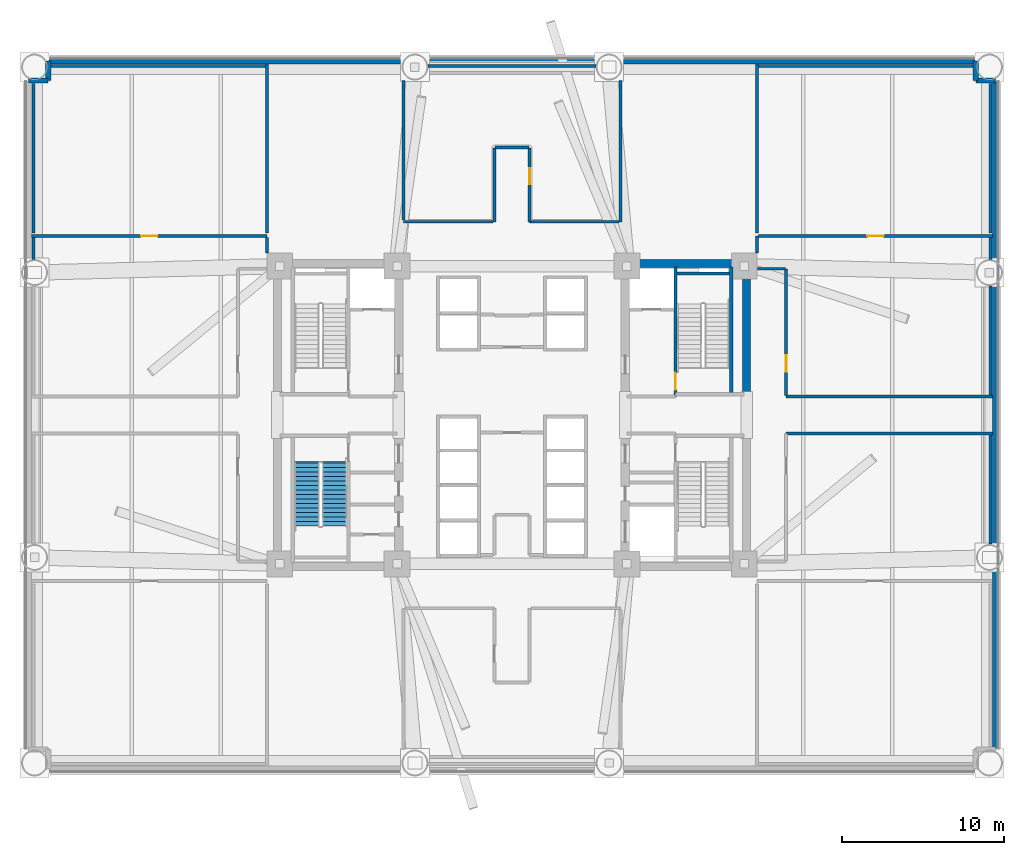
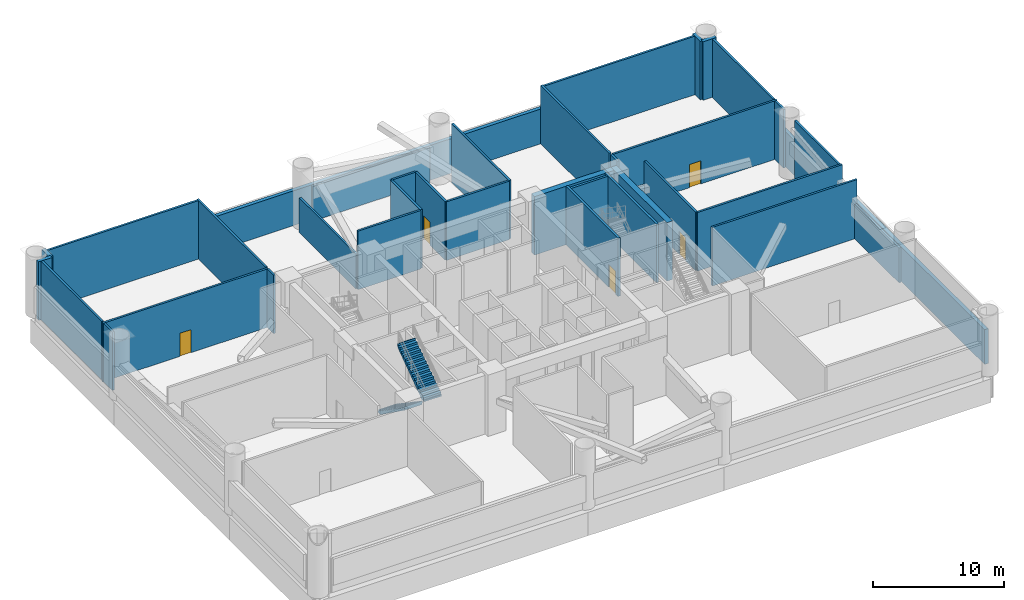
# One storey, part 5 of 10: 37 walls, 5 doors, 2 stair flights, 5 openings, 1 element without a shape of its own.
"""IFC4 building model written with IfcOpenShell, lengths in metres."""

from ifc_helpers import new_model, si_unit, direction, frame, frame_2d, origin, place, context, subcontext, project, spatial, polyline, rectangle, outline, extrude, source, transform, mapped, material, layer, layer_set, type_object, element, fill, aggregate, save


model = new_model("IFC4")

# Units and contexts
model_context = context("Model", 3, precision=1e-05, world=origin(), true_north=direction((0.0, 1.0)))
body_context = subcontext(model_context, "Body", "Model", "MODEL_VIEW")
ifc_project = project(units=[si_unit("LENGTHUNIT", "METRE"), si_unit("AREAUNIT", "SQUARE_METRE"), si_unit("VOLUMEUNIT", "CUBIC_METRE"), si_unit("PLANEANGLEUNIT", "RADIAN"), si_unit("MASSUNIT", "GRAM", prefix="KILO")], contexts=[model_context])

# Site, building, storey
site_placement = place(None, origin())
site = spatial("IfcSite", under=ifc_project, at=site_placement, CompositionType="ELEMENT")
building_placement = place(site_placement, origin())
building = spatial("IfcBuilding", under=site, at=building_placement, Name="Zahravan Cultural Tower", CompositionType="ELEMENT")
storey_placement = place(building_placement, frame((0.0, 0.0, 23.39990234375)))
storey = spatial("IfcBuildingStorey", under=building, at=storey_placement, Name="L04", CompositionType="ELEMENT", Elevation=23.39990234375)

# Wall, opening, door
ifc_material_1 = material(Name="Gypsum plasterboard partition")
ifc_layer_1 = layer(ifc_material_1, 0.179931640625)
ifc_layer_set_1 = layer_set([ifc_layer_1], Name="Gypsum plasterboard partition")
wall_type_1 = type_object("IfcWallType", Name="W-COMP-180", PredefinedType="PARTITIONING", material=ifc_layer_set_1)
wall_1_placement = place(storey_placement, frame((37.090087890625, 38.93994140625, 0.0), z_axis=(0.0, 0.0, 1.0), x_axis=(0.0, 1.0, 0.0)))
wall_1 = element("IfcWall", 1, at=wall_1_placement, inside=storey, type_object=wall_type_1, Name="L04 Interior Wall 091", PredefinedType="PARTITIONING", context=body_context, shape_type="SweptSolid", body=[
    extrude(rectangle(XDim=4.55419921875, YDim=0.179931640625, at=frame_2d((2.277099609375, 0.0))), origin(), (0.0, 0.0, 1.0), 5.4501953125),
])
opening_1_placement = place(wall_1_placement, frame((2.317626953125, 0.0, 0.0)))
opening_1 = element("IfcOpeningElement", 2, at=opening_1_placement, cuts=wall_1, Name="Opening D-L04-13", PredefinedType="OPENING", context=body_context, shape_type="SweptSolid", body=[
    extrude(rectangle(XDim=1.0, YDim=2.14990234375, at=frame_2d((0.5, 1.074951171875))), frame((0.0, 0.099853515625, 0.0), z_axis=(0.0, -1.0, 0.0), x_axis=(1.0, 0.0, 0.0)), (0.0, 0.0, 1.0), 0.199951171875),
])
ifc_material_2 = material(Name="Steel ASTM A572 Grade 50", Category="steel")
door_type_1 = type_object("IfcDoorType", Name="DR-COMP-1000", OperationType="NOTDEFINED", PredefinedType="DOOR", material=ifc_material_2)
shared_shape_1 = source(origin(), body_context, "Body", "SweptSolid", [
    extrude(rectangle(XDim=1.0, YDim=2.14990234375, at=frame_2d((0.5, 1.074951171875))), frame((0.0, 0.02490234375, 0.0), z_axis=(0.0, -1.0, 0.0), x_axis=(1.0, 0.0, 0.0)), (0.0, 0.0, 1.0), 0.050048828125),
])
door_1_placement = place(opening_1_placement, origin())
door_1 = element("IfcDoor", 3, at=door_1_placement, inside=storey, type_object=door_type_1, Name="L04 Door D-L04-13", OperationType="SINGLE_SWING_RIGHT", OverallHeight=2.14990234375, OverallWidth=1.0, PredefinedType="DOOR", context=body_context, shape_type="MappedRepresentation", body=[
    mapped(shared_shape_1, transform((0.0, 0.0, 0.0), x_axis=(1.0, 0.0, 0.0), y_axis=(0.0, 1.0, 0.0), z_axis=(0.0, 0.0, 1.0), scale=1.0)),
])
fill(opening_1, door_1)

wall_2_placement = place(storey_placement, frame((6.304931640625, 38.06005859375, 0.0), z_axis=(0.0, 0.0, 1.0), x_axis=(1.0, 0.0, 0.0)))
wall_2 = element("IfcWall", 4, at=wall_2_placement, inside=storey, type_object=wall_type_1, Name="L04 Interior Wall 105", PredefinedType="PARTITIONING", context=body_context, shape_type="SweptSolid", body=[
    extrude(rectangle(XDim=14.55517578125, YDim=0.179931640625, at=frame_2d((7.277587890625, 0.0))), origin(), (0.0, 0.0, 1.0), 5.4501953125),
])
opening_2_placement = place(wall_2_placement, frame((6.777587890625, 0.0, 0.0)))
opening_2 = element("IfcOpeningElement", 5, at=opening_2_placement, cuts=wall_2, Name="Opening D-L04-22", PredefinedType="OPENING", context=body_context, shape_type="SweptSolid", body=[
    extrude(rectangle(XDim=1.0, YDim=2.14990234375, at=frame_2d((0.5, 1.074951171875))), frame((0.0, 0.099853515625, 0.0), z_axis=(0.0, -1.0, 0.0), x_axis=(1.0, 0.0, 0.0)), (0.0, 0.0, 1.0), 0.199951171875),
])
door_2_placement = place(opening_2_placement, origin())
door_2 = element("IfcDoor", 6, at=door_2_placement, inside=storey, type_object=door_type_1, Name="L04 Door D-L04-22", OperationType="SINGLE_SWING_LEFT", OverallHeight=2.14990234375, OverallWidth=1.0, PredefinedType="DOOR", context=body_context, shape_type="MappedRepresentation", body=[
    mapped(shared_shape_1, transform((0.0, 0.0, 0.0), x_axis=(1.0, 0.0, 0.0), y_axis=(0.0, 1.0, 0.0), z_axis=(0.0, 0.0, 1.0), scale=1.0)),
])
fill(opening_2, door_2)

wall_3_placement = place(storey_placement, frame((52.93994140625, 28.199951171875, 0.0), z_axis=(0.0, 0.0, 1.0), x_axis=(-0.00025015634, 0.999999968711, 0.0)))
wall_3 = element("IfcWall", 7, at=wall_3_placement, inside=storey, type_object=wall_type_1, Name="L04 Interior Wall 113", PredefinedType="PARTITIONING", context=body_context, shape_type="SweptSolid", body=[
    extrude(rectangle(XDim=7.8076171875, YDim=0.179931640625, at=frame_2d((3.90380859375, 0.0))), origin(), (0.0, 0.0, 1.0), 5.4501953125),
])
opening_3_placement = place(wall_3_placement, frame((1.483642578125, 0.0, 0.0)))
opening_3 = element("IfcOpeningElement", 8, at=opening_3_placement, cuts=wall_3, Name="Opening D-L04-18", PredefinedType="OPENING", context=body_context, shape_type="SweptSolid", body=[
    extrude(rectangle(XDim=1.0, YDim=2.14990234375, at=frame_2d((0.5, 1.074951171875))), frame((0.0, 0.099853515625, 0.0), z_axis=(0.0, -1.0, 0.0), x_axis=(1.0, 0.0, 0.0)), (0.0, 0.0, 1.0), 0.199951171875),
])
door_3_placement = place(opening_3_placement, origin())
door_3 = element("IfcDoor", 9, at=door_3_placement, inside=storey, type_object=door_type_1, Name="L04 Door D-L04-18", OperationType="SINGLE_SWING_LEFT", OverallHeight=2.14990234375, OverallWidth=1.0, PredefinedType="DOOR", context=body_context, shape_type="MappedRepresentation", body=[
    mapped(shared_shape_1, transform((0.0, 0.0, 0.0), x_axis=(1.0, 0.0, 0.0), y_axis=(0.0, 1.0, 0.0), z_axis=(0.0, 0.0, 1.0), scale=1.0)),
])
fill(opening_3, door_3)

wall_4_placement = place(storey_placement, frame((51.235107421875, 38.06005859375, 0.0), z_axis=(0.0, 0.0, 1.0), x_axis=(1.0, 0.0, 0.0)))
wall_4 = element("IfcWall", 10, at=wall_4_placement, inside=storey, type_object=wall_type_1, Name="L04 Interior Wall 116", PredefinedType="PARTITIONING", context=body_context, shape_type="SweptSolid", body=[
    extrude(rectangle(XDim=14.4599609375, YDim=0.179931640625, at=frame_2d((7.22998046875, 0.0))), origin(), (0.0, 0.0, 1.0), 5.4501953125),
])
opening_4_placement = place(wall_4_placement, frame((6.72998046875, 0.0, 0.0)))
opening_4 = element("IfcOpeningElement", 11, at=opening_4_placement, cuts=wall_4, Name="Opening D-L04-24", PredefinedType="OPENING", context=body_context, shape_type="SweptSolid", body=[
    extrude(rectangle(XDim=1.0, YDim=2.14990234375, at=frame_2d((0.5, 1.074951171875))), frame((0.0, 0.099853515625, 0.0), z_axis=(0.0, -1.0, 0.0), x_axis=(1.0, 0.0, 0.0)), (0.0, 0.0, 1.0), 0.199951171875),
])
door_4_placement = place(opening_4_placement, origin())
door_4 = element("IfcDoor", 12, at=door_4_placement, inside=storey, type_object=door_type_1, Name="L04 Door D-L04-24", OperationType="SINGLE_SWING_LEFT", OverallHeight=2.14990234375, OverallWidth=1.0, PredefinedType="DOOR", context=body_context, shape_type="MappedRepresentation", body=[
    mapped(shared_shape_1, transform((0.0, 0.0, 0.0), x_axis=(1.0, 0.0, 0.0), y_axis=(0.0, 1.0, 0.0), z_axis=(0.0, 0.0, 1.0), scale=1.0)),
])
fill(opening_4, door_4)

ifc_material_3 = material(Name="Concrete C45/55", Category="concrete")
ifc_layer_2 = layer(ifc_material_3, 0.199951171875)
ifc_layer_set_2 = layer_set([ifc_layer_2], Name="Concrete C45/55")
wall_type_2 = type_object("IfcWallType", Name="W-SHAFT-200", PredefinedType="SOLIDWALL", material=ifc_layer_set_2)
wall_5_placement = place(storey_placement, frame((46.10009765625, 28.14990234375, 0.0), z_axis=(0.0, 0.0, 1.0), x_axis=(0.0, 1.0, 0.0)))
wall_5 = element("IfcWall", 13, at=wall_5_placement, inside=storey, type_object=wall_type_2, Name="L04 Interior Wall 008", PredefinedType="SOLIDWALL", context=body_context, shape_type="SweptSolid", body=[
    extrude(rectangle(XDim=8.0, YDim=0.199951171875, at=frame_2d((4.0, 0.0))), origin(), (0.0, 0.0, 1.0), 5.4501953125),
])
opening_5_placement = place(wall_5_placement, frame((0.39990234375, 0.0, 0.0)))
opening_5 = element("IfcOpeningElement", 14, at=opening_5_placement, cuts=wall_5, Name="Opening D-L04-02", PredefinedType="OPENING", context=body_context, shape_type="SweptSolid", body=[
    extrude(rectangle(XDim=1.050048828125, YDim=2.14990234375, at=frame_2d((0.52490234375, 1.074951171875))), frame((0.0, 0.10986328125, 0.0), z_axis=(0.0, -1.0, 0.0), x_axis=(1.0, 0.0, 0.0)), (0.0, 0.0, 1.0), 0.219970703125),
])
door_type_2 = type_object("IfcDoorType", Name="DR-STAIR-1050", OperationType="NOTDEFINED", PredefinedType="DOOR", material=ifc_material_2)
shared_shape_2 = source(origin(), body_context, "Body", "SweptSolid", [
    extrude(rectangle(XDim=1.050048828125, YDim=2.14990234375, at=frame_2d((0.52490234375, 1.074951171875))), frame((0.0, 0.02490234375, 0.0), z_axis=(0.0, -1.0, 0.0), x_axis=(1.0, 0.0, 0.0)), (0.0, 0.0, 1.0), 0.050048828125),
])
door_5_placement = place(opening_5_placement, origin())
door_5 = element("IfcDoor", 15, at=door_5_placement, inside=storey, type_object=door_type_2, Name="L04 Door D-L04-02", OperationType="SINGLE_SWING_LEFT", OverallHeight=2.14990234375, OverallWidth=1.050048828125, PredefinedType="DOOR", context=body_context, shape_type="MappedRepresentation", body=[
    mapped(shared_shape_2, transform((0.0, 0.0, 0.0), x_axis=(1.0, 0.0, 0.0), y_axis=(0.0, 1.0, 0.0), z_axis=(0.0, 0.0, 1.0), scale=1.0)),
])
fill(opening_5, door_5)

# Walls
ifc_material_4 = material(Name="Concrete C60/75", Category="concrete")
ifc_layer_3 = layer(ifc_material_4, 0.5)
ifc_layer_set_3 = layer_set([ifc_layer_3], Name="Concrete C60/75")
wall_type_3 = type_object("IfcWallType", Name="CW-SHEAR-500-C60", PredefinedType="SHEAR", material=ifc_layer_set_3)
shared_shape_3 = source(origin(), body_context, "Body", "SweptSolid", [
    extrude(rectangle(XDim=8.550048828125, YDim=0.5, at=frame_2d((4.27490234375, 0.0))), origin(), (0.0, 0.0, 1.0), 5.4501953125),
])
wall_6_placement = place(storey_placement, frame((50.5, 28.050048828125, 0.0), z_axis=(0.0, 0.0, 1.0), x_axis=(0.0, 1.0, 0.0)))
element("IfcWall", 16, at=wall_6_placement, inside=storey, type_object=wall_type_3, Name="L04 Core Shear Wall CW-E-EN-L04", PredefinedType="SHEAR", context=body_context, shape_type="MappedRepresentation", body=[
    mapped(shared_shape_3, transform((0.0, 0.0, 0.0), x_axis=(1.0, 0.0, 0.0), y_axis=(0.0, 1.0, 0.0), z_axis=(0.0, 0.0, 1.0), scale=1.0)),
])
shared_shape_4 = source(origin(), body_context, "Body", "SweptSolid", [
    extrude(rectangle(XDim=7.0, YDim=0.5, at=frame_2d((3.5, 0.0))), origin(), (0.0, 0.0, 1.0), 5.4501953125),
])
wall_7_placement = place(storey_placement, frame((43.25, 36.35009765625, 0.0), z_axis=(0.0, 0.0, 1.0), x_axis=(1.0, 0.0, 0.0)))
element("IfcWall", 17, at=wall_7_placement, inside=storey, type_object=wall_type_3, Name="L04 Core Shear Wall CW-E-N-L04", PredefinedType="SHEAR", context=body_context, shape_type="MappedRepresentation", body=[
    mapped(shared_shape_4, transform((0.0, 0.0, 0.0), x_axis=(1.0, 0.0, 0.0), y_axis=(0.0, 1.0, 0.0), z_axis=(0.0, 0.0, 1.0), scale=1.0)),
])
ifc_material_5 = material(Name="Precast concrete C40/50", Category="concrete")
ifc_layer_4 = layer(ifc_material_5, 0.320068359375)
ifc_layer_set_4 = layer_set([ifc_layer_4], Name="Precast concrete C40/50")
wall_type_4 = type_object("IfcWallType", Name="EW-TC-320", PredefinedType="SOLIDWALL", material=ifc_layer_set_4)
shared_shape_5 = source(origin(), body_context, "Body", "SweptSolid", [
    extrude(rectangle(XDim=41.31982421875, YDim=0.320068359375, at=frame_2d((20.659912109375, 0.0))), origin(), (0.0, 0.0, 1.0), 3.2421875),
])
wall_8_placement = place(storey_placement, frame((65.860107421875, 47.659912109375, 0.0), z_axis=(0.0, 0.0, 1.0), x_axis=(0.0, -1.0, 0.0)))
element("IfcWall", 18, at=wall_8_placement, inside=storey, type_object=wall_type_4, Name="L04 Exterior Masonry Frame Wall 01", PredefinedType="SOLIDWALL", context=body_context, shape_type="MappedRepresentation", body=[
    mapped(shared_shape_5, transform((0.0, 0.0, 0.0), x_axis=(1.0, 0.0, 0.0), y_axis=(0.0, 1.0, 0.0), z_axis=(0.0, 0.0, 1.0), scale=1.0)),
])
shared_shape_6 = source(origin(), body_context, "Body", "SweptSolid", [
    extrude(rectangle(XDim=1.2001953125, YDim=0.320068359375, at=frame_2d((0.60009765625, 0.0))), origin(), (0.0, 0.0, 1.0), 5.4501953125),
])
for number, where, z_axis, x_axis, name in (
    (19, (6.139892578125, 47.659912109375, 0.0), (0.0, 0.0, 1.0), (1.0, 0.0, 0.0), "L04 Exterior Masonry Frame Wall 08"),
    (20, (7.340087890625, 47.659912109375, 0.0), (0.0, 0.0, 1.0), (0.0, 1.0, 0.0), "L04 Exterior Masonry Frame Wall 09"),
    (21, (64.659912109375, 48.860107421875, 0.0), (0.0, 0.0, 1.0), (0.0, -1.0, 0.0), "L04 Exterior Masonry Frame Wall 11"),
    (22, (64.659912109375, 47.659912109375, 0.0), (0.0, 0.0, 1.0), (1.0, 0.0, 0.0), "L04 Exterior Masonry Frame Wall 12"),
):
    element("IfcWall", number, at=place(storey_placement, frame(where, z_axis=z_axis, x_axis=x_axis)), inside=storey, type_object=wall_type_4, Name=name, PredefinedType="SOLIDWALL", context=body_context, shape_type="MappedRepresentation", body=[
        mapped(shared_shape_6, transform((0.0, 0.0, 0.0), x_axis=(1.0, 0.0, 0.0), y_axis=(0.0, 1.0, 0.0), z_axis=(0.0, 0.0, 1.0), scale=1.0)),
    ])
shared_shape_7 = source(origin(), body_context, "Body", "SweptSolid", [
    extrude(rectangle(XDim=57.31982421875, YDim=0.320068359375, at=frame_2d((28.659912109375, 0.0))), origin(), (0.0, 0.0, 1.0), 3.2421875),
])
wall_9_placement = place(storey_placement, frame((7.340087890625, 48.860107421875, 0.0), z_axis=(0.0, 0.0, 1.0), x_axis=(1.0, 0.0, 0.0)))
element("IfcWall", 23, at=wall_9_placement, inside=storey, type_object=wall_type_4, Name="L04 Exterior Masonry Frame Wall 10", PredefinedType="SOLIDWALL", context=body_context, shape_type="MappedRepresentation", body=[
    mapped(shared_shape_7, transform((0.0, 0.0, 0.0), x_axis=(1.0, 0.0, 0.0), y_axis=(0.0, 1.0, 0.0), z_axis=(0.0, 0.0, 1.0), scale=1.0)),
])
shared_shape_8 = source(origin(), body_context, "Body", "SweptSolid", [
    extrude(rectangle(XDim=7.869873046875, YDim=0.199951171875, at=frame_2d((3.93505859375, 0.0))), origin(), (0.0, 0.0, 1.0), 5.4501953125),
])
wall_10_placement = place(storey_placement, frame((49.550048828125, 28.280029296875, 0.0), z_axis=(0.0, 0.0, 1.0), x_axis=(0.0, 1.0, 0.0)))
element("IfcWall", 24, at=wall_10_placement, inside=storey, type_object=wall_type_2, Name="L04 Interior Wall 004", PredefinedType="SOLIDWALL", context=body_context, shape_type="MappedRepresentation", body=[
    mapped(shared_shape_8, transform((0.0, 0.0, 0.0), x_axis=(1.0, 0.0, 0.0), y_axis=(0.0, 1.0, 0.0), z_axis=(0.0, 0.0, 1.0), scale=1.0)),
])
shared_shape_9 = source(origin(), body_context, "Body", "SweptSolid", [
    extrude(rectangle(XDim=3.25, YDim=0.199951171875, at=frame_2d((1.625, 0.0))), origin(), (0.0, 0.0, 1.0), 5.4501953125),
])
wall_11_placement = place(storey_placement, frame((46.199951171875, 35.75, 0.0), z_axis=(0.0, 0.0, 1.0), x_axis=(1.0, 0.0, 0.0)))
element("IfcWall", 25, at=wall_11_placement, inside=storey, type_object=wall_type_2, Name="L04 Interior Wall 018", PredefinedType="SOLIDWALL", context=body_context, shape_type="MappedRepresentation", body=[
    mapped(shared_shape_9, transform((0.0, 0.0, 0.0), x_axis=(1.0, 0.0, 0.0), y_axis=(0.0, 1.0, 0.0), z_axis=(0.0, 0.0, 1.0), scale=1.0)),
])
shared_shape_10 = source(origin(), body_context, "Body", "SweptSolid", [
    extrude(rectangle(XDim=12.755126953125, YDim=0.179931640625, at=frame_2d((6.37744140625, 0.0))), origin(), (0.0, 0.0, 1.0), 5.4501953125),
])
for number, where, z_axis, x_axis, name in (
    (26, (52.93994140625, 25.860107421875, 0.0), (0.0, 0.0, 1.0), (1.0, 0.0, 0.0), "L04 Interior Wall 087"),
    (27, (65.695068359375, 28.139892578125, 0.0), (0.0, 0.0, 1.0), (-1.0, 0.0, 0.0), "L04 Interior Wall 112"),
):
    element("IfcWall", number, at=place(storey_placement, frame(where, z_axis=z_axis, x_axis=x_axis)), inside=storey, type_object=wall_type_1, Name=name, PredefinedType="PARTITIONING", context=body_context, shape_type="MappedRepresentation", body=[
        mapped(shared_shape_10, transform((0.0, 0.0, 0.0), x_axis=(1.0, 0.0, 0.0), y_axis=(0.0, 1.0, 0.0), z_axis=(0.0, 0.0, 1.0), scale=1.0)),
    ])
shared_shape_11 = source(origin(), body_context, "Body", "SweptSolid", [
    extrude(rectangle(XDim=6.744873046875, YDim=0.179931640625, at=frame_2d((3.37255859375, 0.0))), origin(), (0.0, 0.0, 1.0), 5.4501953125),
])
wall_12_placement = place(storey_placement, frame((65.56005859375, 34.97998046875, 0.0), z_axis=(0.0, 0.0, 1.0), x_axis=(0.0, -1.0, 0.0)))
element("IfcWall", 28, at=wall_12_placement, inside=storey, type_object=wall_type_1, Name="L04 Interior Wall 118", PredefinedType="PARTITIONING", context=body_context, shape_type="MappedRepresentation", body=[
    mapped(shared_shape_11, transform((0.0, 0.0, 0.0), x_axis=(1.0, 0.0, 0.0), y_axis=(0.0, 1.0, 0.0), z_axis=(0.0, 0.0, 1.0), scale=1.0)),
])
shared_shape_12 = source(origin(), body_context, "Body", "SweptSolid", [
    extrude(rectangle(XDim=6.744873046875, YDim=0.179931640625, at=frame_2d((3.37255859375, 0.0))), origin(), (0.0, 0.0, 1.0), 3.2421875),
])
wall_13_placement = place(storey_placement, frame((65.56005859375, 25.764892578125, 0.0), z_axis=(0.0, 0.0, 1.0), x_axis=(0.0, -1.0, 0.0)))
element("IfcWall", 29, at=wall_13_placement, inside=storey, type_object=wall_type_1, Name="L04 Interior Wall 088", PredefinedType="PARTITIONING", context=body_context, shape_type="MappedRepresentation", body=[
    mapped(shared_shape_12, transform((0.0, 0.0, 0.0), x_axis=(1.0, 0.0, 0.0), y_axis=(0.0, 1.0, 0.0), z_axis=(0.0, 0.0, 1.0), scale=1.0)),
])
shared_shape_13 = source(origin(), body_context, "Body", "SweptSolid", [
    extrude(rectangle(XDim=8.739990234375, YDim=0.179931640625, at=frame_2d((4.3701171875, 0.0))), origin(), (0.0, 0.0, 1.0), 5.4501953125),
])
wall_14_placement = place(storey_placement, frame((42.7099609375, 47.679931640625, 0.0), z_axis=(0.0, 0.0, 1.0), x_axis=(0.0, -1.0, 0.0)))
element("IfcWall", 30, at=wall_14_placement, inside=storey, type_object=wall_type_1, Name="L04 Interior Wall 089", PredefinedType="PARTITIONING", context=body_context, shape_type="MappedRepresentation", body=[
    mapped(shared_shape_13, transform((0.0, 0.0, 0.0), x_axis=(1.0, 0.0, 0.0), y_axis=(0.0, 1.0, 0.0), z_axis=(0.0, 0.0, 1.0), scale=1.0)),
])
shared_shape_14 = source(origin(), body_context, "Body", "SweptSolid", [
    extrude(rectangle(XDim=5.52490234375, YDim=0.179931640625, at=frame_2d((2.762451171875, 0.0))), origin(), (0.0, 0.0, 1.0), 5.4501953125),
])
for number, where, z_axis, x_axis, name in (
    (31, (42.614990234375, 38.93994140625, 0.0), (0.0, 0.0, 1.0), (-1.0, 0.0, 0.0), "L04 Interior Wall 090"),
    (32, (34.81494140625, 38.93994140625, 0.0), (0.0, 0.0, 1.0), (-1.0, 0.0, 0.0), "L04 Interior Wall 094"),
):
    element("IfcWall", number, at=place(storey_placement, frame(where, z_axis=z_axis, x_axis=x_axis)), inside=storey, type_object=wall_type_1, Name=name, PredefinedType="PARTITIONING", context=body_context, shape_type="MappedRepresentation", body=[
        mapped(shared_shape_14, transform((0.0, 0.0, 0.0), x_axis=(1.0, 0.0, 0.0), y_axis=(0.0, 1.0, 0.0), z_axis=(0.0, 0.0, 1.0), scale=1.0)),
    ])
shared_shape_15 = source(origin(), body_context, "Body", "SweptSolid", [
    extrude(rectangle(XDim=2.08984375, YDim=0.179931640625, at=frame_2d((1.044921875, 0.0))), origin(), (0.0, 0.0, 1.0), 5.4501953125),
])
wall_15_placement = place(storey_placement, frame((37.044189453125, 43.5400390625, 0.0), z_axis=(0.0, 0.0, 1.0), x_axis=(-1.0, 0.0, 0.0)))
element("IfcWall", 33, at=wall_15_placement, inside=storey, type_object=wall_type_1, Name="L04 Interior Wall 092", PredefinedType="PARTITIONING", context=body_context, shape_type="MappedRepresentation", body=[
    mapped(shared_shape_15, transform((0.0, 0.0, 0.0), x_axis=(1.0, 0.0, 0.0), y_axis=(0.0, 1.0, 0.0), z_axis=(0.0, 0.0, 1.0), scale=1.0)),
])
shared_shape_16 = source(origin(), body_context, "Body", "SweptSolid", [
    extrude(rectangle(XDim=4.552734375, YDim=0.179931640625, at=frame_2d((2.2763671875, 0.0))), origin(), (0.0, 0.0, 1.0), 5.4501953125),
])
wall_16_placement = place(storey_placement, frame((34.909912109375, 43.49267578125, 0.0), z_axis=(0.0, 0.0, 1.0), x_axis=(0.0, -1.0, 0.0)))
element("IfcWall", 34, at=wall_16_placement, inside=storey, type_object=wall_type_1, Name="L04 Interior Wall 093", PredefinedType="PARTITIONING", context=body_context, shape_type="MappedRepresentation", body=[
    mapped(shared_shape_16, transform((0.0, 0.0, 0.0), x_axis=(1.0, 0.0, 0.0), y_axis=(0.0, 1.0, 0.0), z_axis=(0.0, 0.0, 1.0), scale=1.0)),
])
shared_shape_17 = source(origin(), body_context, "Body", "SweptSolid", [
    extrude(rectangle(XDim=8.64501953125, YDim=0.179931640625, at=frame_2d((4.322509765625, 0.0))), origin(), (0.0, 0.0, 1.0), 3.2421875),
])
wall_17_placement = place(storey_placement, frame((29.2900390625, 39.034912109375, 0.0), z_axis=(0.0, 0.0, 1.0), x_axis=(0.0, 1.0, 0.0)))
element("IfcWall", 35, at=wall_17_placement, inside=storey, type_object=wall_type_1, Name="L04 Interior Wall 095", PredefinedType="PARTITIONING", context=body_context, shape_type="MappedRepresentation", body=[
    mapped(shared_shape_17, transform((0.0, 0.0, 0.0), x_axis=(1.0, 0.0, 0.0), y_axis=(0.0, 1.0, 0.0), z_axis=(0.0, 0.0, 1.0), scale=1.0)),
])
shared_shape_18 = source(origin(), body_context, "Body", "SweptSolid", [
    extrude(rectangle(XDim=10.35986328125, YDim=0.179931640625, at=frame_2d((5.179931640625, 0.0))), origin(), (0.0, 0.0, 1.0), 3.2421875),
])
wall_18_placement = place(storey_placement, frame((30.820068359375, 48.56005859375, 0.0), z_axis=(0.0, 0.0, 1.0), x_axis=(1.0, 0.0, 0.0)))
element("IfcWall", 36, at=wall_18_placement, inside=storey, type_object=wall_type_1, Name="L04 Interior Wall 096", PredefinedType="PARTITIONING", context=body_context, shape_type="MappedRepresentation", body=[
    mapped(shared_shape_18, transform((0.0, 0.0, 0.0), x_axis=(1.0, 0.0, 0.0), y_axis=(0.0, 1.0, 0.0), z_axis=(0.0, 0.0, 1.0), scale=1.0)),
])
shared_shape_19 = source(origin(), body_context, "Body", "SweptSolid", [
    extrude(rectangle(XDim=0.945068359375, YDim=0.179931640625, at=frame_2d((0.47265625, 0.0))), origin(), (0.0, 0.0, 1.0), 5.4501953125),
])
wall_19_placement = place(storey_placement, frame((20.860107421875, 37.965087890625, 0.0), z_axis=(0.0, 0.0, 1.0), x_axis=(0.0, -1.0, 0.0)))
element("IfcWall", 37, at=wall_19_placement, inside=storey, type_object=wall_type_1, Name="L04 Interior Wall 106", PredefinedType="PARTITIONING", context=body_context, shape_type="MappedRepresentation", body=[
    mapped(shared_shape_19, transform((0.0, 0.0, 0.0), x_axis=(1.0, 0.0, 0.0), y_axis=(0.0, 1.0, 0.0), z_axis=(0.0, 0.0, 1.0), scale=1.0)),
])
shared_shape_20 = source(origin(), body_context, "Body", "SweptSolid", [
    extrude(rectangle(XDim=1.344970703125, YDim=0.179931640625, at=frame_2d((0.67236328125, 0.0))), origin(), (0.0, 0.0, 1.0), 5.4501953125),
])
for number, where, z_axis, x_axis, name in (
    (38, (6.43994140625, 36.6201171875, 0.0), (0.0, 0.0, 1.0), (0.0, 1.0, 0.0), "L04 Interior Wall 111"),
    (39, (65.56005859375, 37.965087890625, 0.0), (0.0, 0.0, 1.0), (0.0, -1.0, 0.0), "L04 Interior Wall 117"),
):
    element("IfcWall", number, at=place(storey_placement, frame(where, z_axis=z_axis, x_axis=x_axis)), inside=storey, type_object=wall_type_1, Name=name, PredefinedType="PARTITIONING", context=body_context, shape_type="MappedRepresentation", body=[
        mapped(shared_shape_20, transform((0.0, 0.0, 0.0), x_axis=(1.0, 0.0, 0.0), y_axis=(0.0, 1.0, 0.0), z_axis=(0.0, 0.0, 1.0), scale=1.0)),
    ])
shared_shape_21 = source(origin(), body_context, "Body", "SweptSolid", [
    extrude(rectangle(XDim=1.7255859375, YDim=0.179931640625, at=frame_2d((0.86279296875, 0.0))), origin(), (0.0, 0.0, 1.0), 3.2421875),
])
wall_20_placement = place(storey_placement, frame((52.8955078125, 36.0400390625, 0.0), z_axis=(0.0, 0.0, 1.0), x_axis=(-1.0, 0.0, 0.0)))
element("IfcWall", 40, at=wall_20_placement, inside=storey, type_object=wall_type_1, Name="L04 Interior Wall 114", PredefinedType="PARTITIONING", context=body_context, shape_type="MappedRepresentation", body=[
    mapped(shared_shape_21, transform((0.0, 0.0, 0.0), x_axis=(1.0, 0.0, 0.0), y_axis=(0.0, 1.0, 0.0), z_axis=(0.0, 0.0, 1.0), scale=1.0)),
])
shared_shape_22 = source(origin(), body_context, "Body", "SweptSolid", [
    extrude(rectangle(XDim=1.0400390625, YDim=0.179931640625, at=frame_2d((0.52001953125, 0.0))), origin(), (0.0, 0.0, 1.0), 5.4501953125),
])
wall_21_placement = place(storey_placement, frame((51.139892578125, 37.02001953125, 0.0), z_axis=(0.0, 0.0, 1.0), x_axis=(0.0, 1.0, 0.0)))
element("IfcWall", 41, at=wall_21_placement, inside=storey, type_object=wall_type_1, Name="L04 Interior Wall 115", PredefinedType="PARTITIONING", context=body_context, shape_type="MappedRepresentation", body=[
    mapped(shared_shape_22, transform((0.0, 0.0, 0.0), x_axis=(1.0, 0.0, 0.0), y_axis=(0.0, 1.0, 0.0), z_axis=(0.0, 0.0, 1.0), scale=1.0)),
])
shared_shape_23 = source(origin(), body_context, "Body", "SweptSolid", [
    extrude(rectangle(XDim=10.455078125, YDim=0.179931640625, at=frame_2d((5.2275390625, 0.0))), origin(), (0.0, 0.0, 1.0), 5.4501953125),
])
for number, where, z_axis, x_axis, name in (
    (42, (20.860107421875, 48.695068359375, 0.0), (0.0, 0.0, 1.0), (0.0, -1.0, 0.0), "L04 Interior Wall 119"),
    (43, (51.139892578125, 38.239990234375, 0.0), (0.0, 0.0, 1.0), (0.0, 1.0, 0.0), "L04 Interior Wall 122"),
):
    element("IfcWall", number, at=place(storey_placement, frame(where, z_axis=z_axis, x_axis=x_axis)), inside=storey, type_object=wall_type_1, Name=name, PredefinedType="PARTITIONING", context=body_context, shape_type="MappedRepresentation", body=[
        mapped(shared_shape_23, transform((0.0, 0.0, 0.0), x_axis=(1.0, 0.0, 0.0), y_axis=(0.0, 1.0, 0.0), z_axis=(0.0, 0.0, 1.0), scale=1.0)),
    ])
shared_shape_24 = source(origin(), body_context, "Body", "SweptSolid", [
    extrude(rectangle(XDim=9.255126953125, YDim=0.179931640625, at=frame_2d((4.62744140625, 0.0))), origin(), (0.0, 0.0, 1.0), 5.4501953125),
])
for number, where, z_axis, x_axis, name in (
    (44, (6.43994140625, 38.239990234375, 0.0), (0.0, 0.0, 1.0), (0.0, 1.0, 0.0), "L04 Interior Wall 120"),
    (45, (65.56005859375, 47.4951171875, 0.0), (0.0, 0.0, 1.0), (0.0, -1.0, 0.0), "L04 Interior Wall 124"),
):
    element("IfcWall", number, at=place(storey_placement, frame(where, z_axis=z_axis, x_axis=x_axis)), inside=storey, type_object=wall_type_1, Name=name, PredefinedType="PARTITIONING", context=body_context, shape_type="MappedRepresentation", body=[
        mapped(shared_shape_24, transform((0.0, 0.0, 0.0), x_axis=(1.0, 0.0, 0.0), y_axis=(0.0, 1.0, 0.0), z_axis=(0.0, 0.0, 1.0), scale=1.0)),
    ])
shared_shape_25 = source(origin(), body_context, "Body", "SweptSolid", [
    extrude(rectangle(XDim=13.260009765625, YDim=0.179931640625, at=frame_2d((6.6298828125, 0.0))), origin(), (0.0, 0.0, 1.0), 5.4501953125),
])
for number, where, z_axis, x_axis, name in (
    (46, (7.5048828125, 48.56005859375, 0.0), (0.0, 0.0, 1.0), (1.0, 0.0, 0.0), "L04 Interior Wall 121"),
    (47, (51.235107421875, 48.56005859375, 0.0), (0.0, 0.0, 1.0), (1.0, 0.0, 0.0), "L04 Interior Wall 123"),
):
    element("IfcWall", number, at=place(storey_placement, frame(where, z_axis=z_axis, x_axis=x_axis)), inside=storey, type_object=wall_type_1, Name=name, PredefinedType="PARTITIONING", context=body_context, shape_type="MappedRepresentation", body=[
        mapped(shared_shape_25, transform((0.0, 0.0, 0.0), x_axis=(1.0, 0.0, 0.0), y_axis=(0.0, 1.0, 0.0), z_axis=(0.0, 0.0, 1.0), scale=1.0)),
    ])

# Stair, stair flights
stair_type = type_object("IfcStairType", Name="STR-DL-1550-570", PredefinedType="HALF_TURN_STAIR", material=ifc_material_3)
stair_placement = place(storey_placement, origin())
stair = element("IfcStair", 48, at=stair_placement, inside=storey, type_object=stair_type, Name="L04 West Core South Exit Stair ST-W2", PredefinedType="HALF_TURN_STAIR")
stair_flight_type = type_object("IfcStairFlightType", Name="FLG-DL-1550-570", PredefinedType="STRAIGHT", material=ifc_material_3)
stair_flight_1_placement = place(storey_placement, frame((23.324951171875, 24.050048828125, 0.0), z_axis=(0.0, 0.0, 1.0), x_axis=(0.0, -1.0, 0.0)))
stair_flight_1 = element("IfcStairFlight", 49, at=stair_flight_1_placement, type_object=stair_flight_type, Name="ST-W2 flight 1", NumberOfRisers=15, NumberOfTreads=14, PredefinedType="STRAIGHT", RiserHeight=0.19, TreadLength=0.28, context=body_context, shape_type="SweptSolid", body=[
    extrude(outline(polyline([(-0.06494140625, -0.139892578125), (-0.06494140625, 0.0), (0.0, 0.0), (0.0, 0.18994140625), (0.280029296875, 0.18994140625), (0.280029296875, 0.3798828125), (0.56005859375, 0.3798828125), (0.56005859375, 0.570068359375), (0.840087890625, 0.570068359375), (0.840087890625, 0.760009765625), (1.1201171875, 0.760009765625), (1.1201171875, 0.949951171875), (1.39990234375, 0.949951171875), (1.39990234375, 1.139892578125), (1.679931640625, 1.139892578125), (1.679931640625, 1.330078125), (1.9599609375, 1.330078125), (1.9599609375, 1.52001953125), (2.239990234375, 1.52001953125), (2.239990234375, 1.7099609375), (2.52001953125, 1.7099609375), (2.52001953125, 1.89990234375), (2.800048828125, 1.89990234375), (2.800048828125, 2.090087890625), (3.080078125, 2.090087890625), (3.080078125, 2.280029296875), (3.360107421875, 2.280029296875), (3.360107421875, 2.469970703125), (3.639892578125, 2.469970703125), (3.639892578125, 2.659912109375), (3.919921875, 2.659912109375), (3.919921875, 2.85009765625), (3.985107421875, 2.85009765625), (3.985107421875, 2.7001953125), (3.919921875, 2.478759765625), (0.266845703125, -0.139892578125), (-0.06494140625, -0.139892578125)])), frame((0.0, 0.77490234375, 0.0), z_axis=(0.0, -1.0, 0.0), x_axis=(1.0, 0.0, 0.0)), (0.0, 0.0, 1.0), 1.550048828125),
])
stair_flight_2_placement = place(storey_placement, frame((25.02490234375, 20.1298828125, 2.85009765625), z_axis=(0.0, 0.0, 1.0), x_axis=(0.0, 1.0, 0.0)))
stair_flight_2 = element("IfcStairFlight", 50, at=stair_flight_2_placement, type_object=stair_flight_type, Name="ST-W2 flight 2", NumberOfRisers=15, NumberOfTreads=14, PredefinedType="STRAIGHT", RiserHeight=0.19, TreadLength=0.28, context=body_context, shape_type="SweptSolid", body=[
    extrude(outline(polyline([(-0.06494140625, -0.139892578125), (-0.06494140625, 0.0), (0.0, 0.0), (0.0, 0.18994140625), (0.280029296875, 0.18994140625), (0.280029296875, 0.3798828125), (0.56005859375, 0.3798828125), (0.56005859375, 0.570068359375), (0.840087890625, 0.570068359375), (0.840087890625, 0.760009765625), (1.1201171875, 0.760009765625), (1.1201171875, 0.949951171875), (1.39990234375, 0.949951171875), (1.39990234375, 1.139892578125), (1.679931640625, 1.139892578125), (1.679931640625, 1.330078125), (1.9599609375, 1.330078125), (1.9599609375, 1.52001953125), (2.239990234375, 1.52001953125), (2.239990234375, 1.7099609375), (2.52001953125, 1.7099609375), (2.52001953125, 1.89990234375), (2.800048828125, 1.89990234375), (2.800048828125, 2.090087890625), (3.080078125, 2.090087890625), (3.080078125, 2.280029296875), (3.360107421875, 2.280029296875), (3.360107421875, 2.469970703125), (3.639892578125, 2.469970703125), (3.639892578125, 2.659912109375), (3.919921875, 2.659912109375), (3.919921875, 2.85009765625), (3.985107421875, 2.85009765625), (3.985107421875, 2.7001953125), (3.919921875, 2.478759765625), (0.266845703125, -0.139892578125), (-0.06494140625, -0.139892578125)])), frame((0.0, 0.77490234375, 0.0), z_axis=(0.0, -1.0, 0.0), x_axis=(1.0, 0.0, 0.0)), (0.0, 0.0, 1.0), 1.550048828125),
])
aggregate(stair, [stair_flight_1, stair_flight_2])

save(model, "model.ifc")
